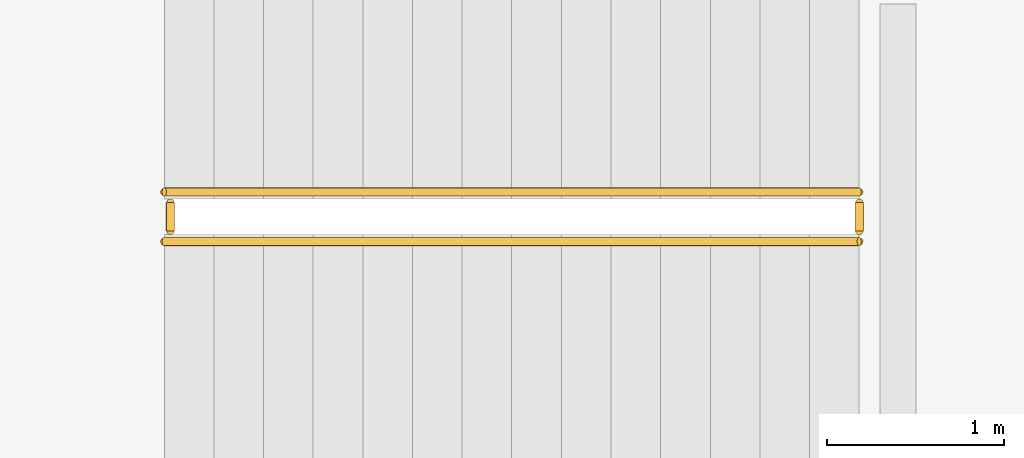
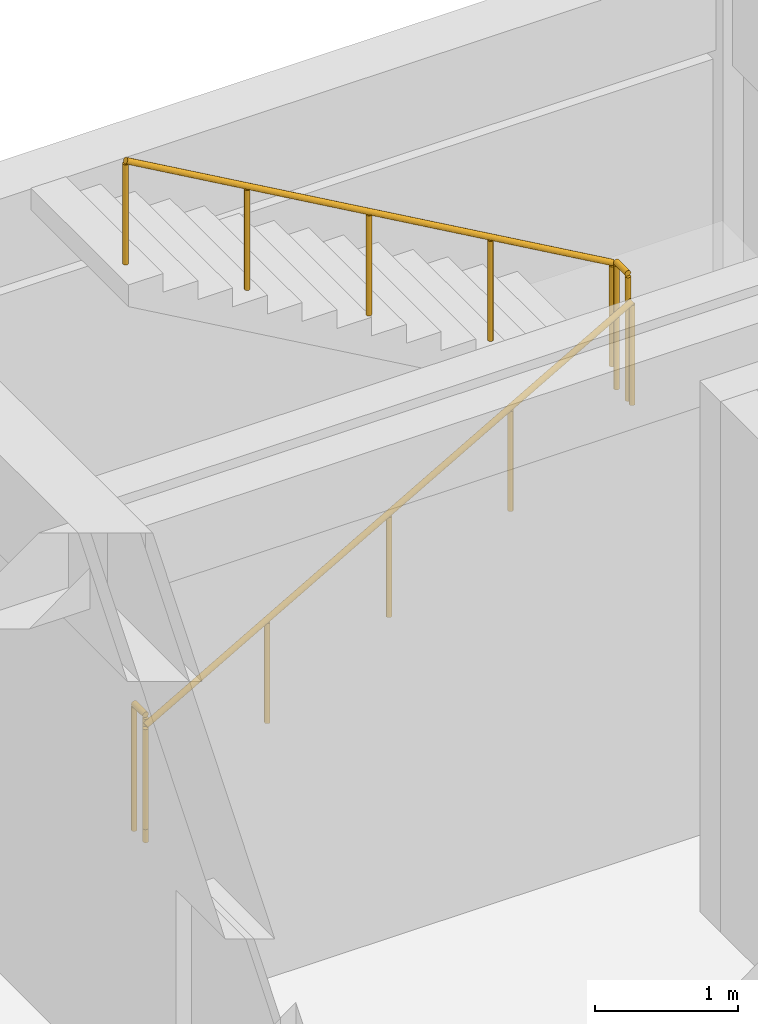
# One storey, part 61 of 64: 4 railings.
"""IFC4 building model written with IfcOpenShell, lengths in metres."""

from ifc_helpers import new_model, si_unit, direction, frame, origin, origin_2d, place, context, subcontext, project, spatial, circle, extrude, material, type_object, element, save


model = new_model("IFC4")

# Units and contexts
model_context = context("Model", 3, precision=1e-05, world=origin(), true_north=direction((0.0, 1.0)))
body_context = subcontext(model_context, "Body", "Model", "MODEL_VIEW")
ifc_project = project(units=[si_unit("LENGTHUNIT", "METRE"), si_unit("AREAUNIT", "SQUARE_METRE"), si_unit("VOLUMEUNIT", "CUBIC_METRE"), si_unit("PLANEANGLEUNIT", "RADIAN"), si_unit("MASSUNIT", "GRAM", prefix="KILO")], contexts=[model_context])

# Site, building, storey
site_placement = place(None, origin())
site = spatial("IfcSite", under=ifc_project, at=site_placement, CompositionType="ELEMENT")
building_placement = place(site_placement, origin())
building = spatial("IfcBuilding", under=site, at=building_placement, Name="Cinchona Park Media Centre", CompositionType="ELEMENT")
storey_placement = place(building_placement, frame((0.0, 0.0, 5.39990234375)))
storey = spatial("IfcBuildingStorey", under=building, at=storey_placement, Name="L01", CompositionType="ELEMENT", Elevation=5.39990234375)

# Railings
ifc_material_1 = material(Name="Painted Steel Stairwell Guardrail", Category="steel")
railing_type_1 = type_object("IfcRailingType", Name="RAILING-GR02", PredefinedType="GUARDRAIL", material=ifc_material_1)
for number, where, name in (
    (1, (166.135009765625, 61.719970703125, 0.0), "Stairwell Guardrail GR02 ST7 L01"),
    (2, (170.02001953125, 61.719970703125, 2.400146484375), "Half-Landing Guardrail GR02 ST7 L01"),
):
    element("IfcRailing", number, at=place(storey_placement, frame(where)), inside=storey, type_object=railing_type_1, Name=name, PredefinedType="GUARDRAIL", context=body_context, shape_type="SweptSolid", body=[
        extrude(circle(Radius=0.02392578125, at=origin_2d()), frame((0.0, 0.0, 1.076171875), z_axis=(0.0, 1.0, 0.0), x_axis=(-1.0, 0.0, 0.0)), (0.0, 0.0, 1.0), 0.159912109375),
        extrude(circle(Radius=0.02099609375, at=origin_2d()), origin(), (0.0, 0.0, 1.0), 1.052001953125),
        extrude(circle(Radius=0.02099609375, at=origin_2d()), frame((0.0, 0.159912109375, 0.0)), (0.0, 0.0, 1.0), 1.052001953125),
    ])
ifc_material_2 = material(Name="Brushed Stainless Steel Handrail", Category="steel")
railing_type_2 = type_object("IfcRailingType", Name="RAILING-HR01", PredefinedType="HANDRAIL", material=ifc_material_2)
railing_1_placement = place(storey_placement, frame((166.10009765625, 61.659912109375, 0.16015625)))
element("IfcRailing", 3, at=railing_1_placement, inside=storey, type_object=railing_type_2, Name="Stair Handrail HR01 ST7 L01 F1", PredefinedType="HANDRAIL", context=body_context, shape_type="SweptSolid", body=[
    extrude(circle(Radius=0.02392578125, at=origin_2d()), frame((0.0, 0.0, 0.8759765625), z_axis=(0.868239814368, 0.0, 0.496144761885), x_axis=(0.0, 1.0, 0.0)), (0.0, 0.0, 1.0), 4.514892578125),
    extrude(circle(Radius=0.02099609375, at=origin_2d()), origin(), (0.0, 0.0, 1.0), 0.851806640625),
    extrude(circle(Radius=0.02099609375, at=origin_2d()), frame((0.97998046875, 0.0, 0.56005859375)), (0.0, 0.0, 1.0), 0.851806640625),
    extrude(circle(Radius=0.02099609375, at=origin_2d()), frame((1.9599609375, 0.0, 1.1201171875)), (0.0, 0.0, 1.0), 0.851806640625),
    extrude(circle(Radius=0.02099609375, at=origin_2d()), frame((2.93994140625, 0.0, 1.679931640625)), (0.0, 0.0, 1.0), 0.851806640625),
    extrude(circle(Radius=0.02099609375, at=origin_2d()), frame((3.919921875, 0.0, 2.239990234375)), (0.0, 0.0, 1.0), 0.851806640625),
])
railing_2_placement = place(storey_placement, frame((170.02001953125, 61.93994140625, 2.56005859375)))
element("IfcRailing", 4, at=railing_2_placement, inside=storey, type_object=railing_type_2, Name="Stair Handrail HR01 ST7 L01 F2", PredefinedType="HANDRAIL", context=body_context, shape_type="SweptSolid", body=[
    extrude(circle(Radius=0.02392578125, at=origin_2d()), frame((0.0, 0.0, 0.8759765625), z_axis=(-0.868239814368, 0.0, 0.496144761885), x_axis=(0.0, -1.0, 0.0)), (0.0, 0.0, 1.0), 4.514892578125),
    extrude(circle(Radius=0.02099609375, at=origin_2d()), origin(), (0.0, 0.0, 1.0), 0.851806640625),
    extrude(circle(Radius=0.02099609375, at=origin_2d()), frame((-0.97998046875, 0.0, 0.56005859375)), (0.0, 0.0, 1.0), 0.851806640625),
    extrude(circle(Radius=0.02099609375, at=origin_2d()), frame((-1.9599609375, 0.0, 1.1201171875)), (0.0, 0.0, 1.0), 0.851806640625),
    extrude(circle(Radius=0.02099609375, at=origin_2d()), frame((-2.93994140625, 0.0, 1.679931640625)), (0.0, 0.0, 1.0), 0.851806640625),
    extrude(circle(Radius=0.02099609375, at=origin_2d()), frame((-3.919921875, 0.0, 2.239990234375)), (0.0, 0.0, 1.0), 0.851806640625),
])

save(model, "model.ifc")
